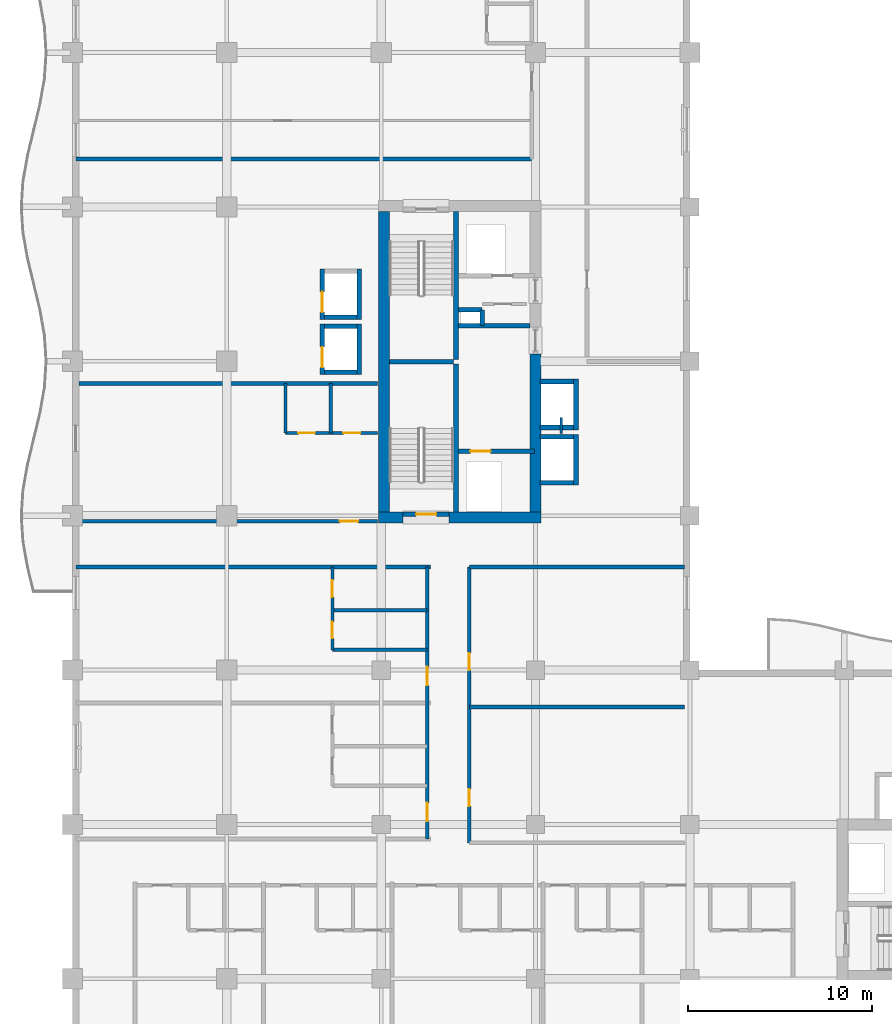
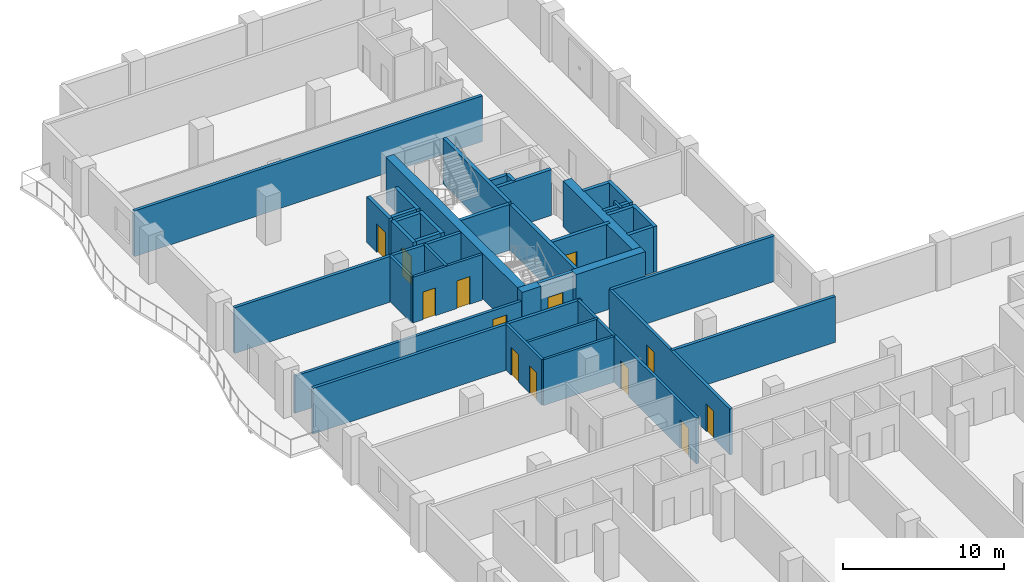
# One storey, part 12 of 21: 40 walls, 13 doors, 13 openings.
"""IFC4 building model written with IfcOpenShell, lengths in metres."""

from ifc_helpers import new_model, si_unit, direction, frame, frame_2d, origin, place, context, subcontext, project, spatial, rectangle, extrude, material, layer, layer_set, type_object, element, fill, save


model = new_model("IFC4")

# Units and contexts
model_context = context("Model", 3, precision=1e-05, world=origin(), true_north=direction((0.0, 1.0)))
body_context = subcontext(model_context, "Body", "Model", "MODEL_VIEW")
ifc_project = project(units=[si_unit("LENGTHUNIT", "METRE"), si_unit("AREAUNIT", "SQUARE_METRE"), si_unit("VOLUMEUNIT", "CUBIC_METRE"), si_unit("PLANEANGLEUNIT", "RADIAN"), si_unit("MASSUNIT", "GRAM", prefix="KILO")], contexts=[model_context])

# Site, building, storey
site_placement = place(None, origin())
site = spatial("IfcSite", under=ifc_project, at=site_placement, CompositionType="ELEMENT")
building_placement = place(site_placement, origin())
building = spatial("IfcBuilding", under=site, at=building_placement, Name="Koriwani Terraces Tower", CompositionType="ELEMENT")
storey_placement = place(building_placement, frame((0.0, 0.0, 197.60009765625)))
storey = spatial("IfcBuildingStorey", under=building, at=storey_placement, Name="L48", CompositionType="ELEMENT", Elevation=197.60009765625)

# Walls
ifc_material_1 = material(Name="Concrete C60/75", Category="concrete")
ifc_layer_1 = layer(ifc_material_1, 0.60009765625, Name="Concrete C60/75")
ifc_layer_set_1 = layer_set([ifc_layer_1], Name="Concrete C60/75")
wall_type_1 = type_object("IfcWallType", Name="WALL_CORE_RC_600", PredefinedType="SHEAR", material=ifc_layer_set_1)
wall_1_placement = place(storey_placement, frame((16.64990234375, 41.89990234375, 0.0), z_axis=(0.0, 0.0, 1.0), x_axis=(1.0, 0.0, 0.0)))
element("IfcWall", 1, at=wall_1_placement, inside=storey, type_object=wall_type_1, Name="L48 West Split Core Shear Wall S1", PredefinedType="SHEAR", context=body_context, shape_type="SweptSolid", body=[
    extrude(rectangle(XDim=1.35009765625, YDim=0.60009765625, at=frame_2d((0.675048828125, 0.0))), origin(), (0.0, 0.0, 1.0), 3.469970703125),
])
wall_2_placement = place(storey_placement, frame((20.5, 41.89990234375, 0.0), z_axis=(0.0, 0.0, 1.0), x_axis=(1.0, 0.0, 0.0)))
element("IfcWall", 2, at=wall_2_placement, inside=storey, type_object=wall_type_1, Name="L48 West Split Core Shear Wall S2", PredefinedType="SHEAR", context=body_context, shape_type="SweptSolid", body=[
    extrude(rectangle(XDim=5.0, YDim=0.60009765625, at=frame_2d((2.5, 0.0))), origin(), (0.0, 0.0, 1.0), 3.469970703125),
])
wall_3_placement = place(storey_placement, frame((16.949951171875, 42.199951171875, 0.0), z_axis=(0.0, 0.0, 1.0), x_axis=(0.0, 1.0, 0.0)))
element("IfcWall", 3, at=wall_3_placement, inside=storey, type_object=wall_type_1, Name="L48 West Split Core Shear Wall W1", PredefinedType="SHEAR", context=body_context, shape_type="SweptSolid", body=[
    extrude(rectangle(XDim=16.35009765625, YDim=0.60009765625, at=frame_2d((8.175048828125, 0.0))), origin(), (0.0, 0.0, 1.0), 3.469970703125),
])
wall_4_placement = place(storey_placement, frame((25.199951171875, 42.199951171875, 0.0), z_axis=(0.0, 0.0, 1.0), x_axis=(0.0, 1.0, 0.0)))
element("IfcWall", 4, at=wall_4_placement, inside=storey, type_object=wall_type_1, Name="L48 West Split Core Shear Wall E1", PredefinedType="SHEAR", context=body_context, shape_type="SweptSolid", body=[
    extrude(rectangle(XDim=8.60009765625, YDim=0.60009765625, at=frame_2d((4.300048828125, 0.0))), origin(), (0.0, 0.0, 1.0), 3.469970703125),
])

# Wall, opening, door
ifc_material_2 = material(Name="Autoclaved Cellular Concrete Blockwork", Category="masonry")
ifc_layer_2 = layer(ifc_material_2, 0.199951171875, Name="Autoclaved Cellular Concrete Blockwork")
ifc_layer_set_2 = layer_set([ifc_layer_2], Name="Autoclaved Cellular Concrete Blockwork")
wall_type_2 = type_object("IfcWallType", Name="WALL_CORRIDOR_200", PredefinedType="PARTITIONING", material=ifc_layer_set_2)
wall_5_placement = place(storey_placement, frame((0.35009765625, 41.699951171875, 0.0), z_axis=(0.0, 0.0, 1.0), x_axis=(1.0, 0.0, 0.0)))
wall_5 = element("IfcWall", 5, at=wall_5_placement, inside=storey, type_object=wall_type_2, Name="L48 Interior Wall WREC-WS-L48", PredefinedType="PARTITIONING", context=body_context, shape_type="SweptSolid", body=[
    extrude(rectangle(XDim=16.25, YDim=0.199951171875, at=frame_2d((8.125, 0.0))), origin(), (0.0, 0.0, 1.0), 2.81982421875),
])
opening_1_placement = place(wall_5_placement, frame((14.199951171875, 0.0, 0.0)))
opening_1 = element("IfcOpeningElement", 6, at=opening_1_placement, cuts=wall_5, Name="Opening D-05", PredefinedType="OPENING", context=body_context, shape_type="SweptSolid", body=[
    extrude(rectangle(XDim=1.0, YDim=2.14990234375, at=frame_2d((0.5, 1.074951171875))), frame((0.0, 0.10986328125, 0.0), z_axis=(0.0, -1.0, 0.0), x_axis=(1.0, 0.0, 0.0)), (0.0, 0.0, 1.0), 0.219970703125),
])
ifc_material_3 = material(Name="Architectural Oak Fire Door", Category="wood")
door_type_1 = type_object("IfcDoorType", Name="DOOR_SUITE_ENTRY_1000X2150", OperationType="NOTDEFINED", PredefinedType="DOOR", material=ifc_material_3)
door_1_placement = place(opening_1_placement, origin())
door_1 = element("IfcDoor", 7, at=door_1_placement, inside=storey, type_object=door_type_1, Name="L48 Reclaimed West Suite Door", OperationType="SINGLE_SWING_RIGHT", OverallHeight=2.14990234375, OverallWidth=1.0, PredefinedType="DOOR", context=body_context, shape_type="SweptSolid", body=[
    extrude(rectangle(XDim=1.0, YDim=2.14990234375, at=frame_2d((0.5, 1.074951171875))), frame((0.0, 0.02490234375, 0.0), z_axis=(0.0, -1.0, 0.0), x_axis=(1.0, 0.0, 0.0)), (0.0, 0.0, 1.0), 0.050048828125),
])
fill(opening_1, door_1)

# Wall, openings, doors
wall_6_placement = place(storey_placement, frame((21.60009765625, 24.199951171875, 0.0), z_axis=(0.0, 0.0, 1.0), x_axis=(0.0, 1.0, 0.0)))
wall_6 = element("IfcWall", 8, at=wall_6_placement, inside=storey, type_object=wall_type_2, Name="L48 Interior Wall WIC2-W-L48", PredefinedType="PARTITIONING", context=body_context, shape_type="SweptSolid", body=[
    extrude(rectangle(XDim=15.0, YDim=0.199951171875, at=frame_2d((7.5, 0.0))), origin(), (0.0, 0.0, 1.0), 3.469970703125),
])
opening_2_placement = place(wall_6_placement, frame((2.0, 0.0, 0.0)))
opening_2 = element("IfcOpeningElement", 9, at=opening_2_placement, cuts=wall_6, Name="Opening D-06", PredefinedType="OPENING", context=body_context, shape_type="SweptSolid", body=[
    extrude(rectangle(XDim=0.919921875, YDim=2.10009765625, at=frame_2d((0.4599609375, 1.050048828125))), frame((0.0, 0.10986328125, 0.0), z_axis=(0.0, -1.0, 0.0), x_axis=(1.0, 0.0, 0.0)), (0.0, 0.0, 1.0), 0.219970703125),
])
opening_3_placement = place(wall_6_placement, frame((9.39990234375, 0.0, 0.0)))
opening_3 = element("IfcOpeningElement", 10, at=opening_3_placement, cuts=wall_6, Name="Opening D-06", PredefinedType="OPENING", context=body_context, shape_type="SweptSolid", body=[
    extrude(rectangle(XDim=0.919921875, YDim=2.10009765625, at=frame_2d((0.4599609375, 1.050048828125))), frame((0.0, 0.10986328125, 0.0), z_axis=(0.0, -1.0, 0.0), x_axis=(1.0, 0.0, 0.0)), (0.0, 0.0, 1.0), 0.219970703125),
])
door_type_2 = type_object("IfcDoorType", Name="DOOR_ROOM_INT_920X2100", OperationType="NOTDEFINED", PredefinedType="DOOR", material=ifc_material_3)
door_2_placement = place(opening_2_placement, origin())
door_2 = element("IfcDoor", 11, at=door_2_placement, inside=storey, type_object=door_type_2, Name="L48 Inner Court Salon Door", OperationType="SINGLE_SWING_RIGHT", OverallHeight=2.10009765625, OverallWidth=0.919921875, PredefinedType="DOOR", context=body_context, shape_type="SweptSolid", body=[
    extrude(rectangle(XDim=0.919921875, YDim=2.10009765625, at=frame_2d((0.4599609375, 1.050048828125))), frame((0.0, 0.02490234375, 0.0), z_axis=(0.0, -1.0, 0.0), x_axis=(1.0, 0.0, 0.0)), (0.0, 0.0, 1.0), 0.050048828125),
])
fill(opening_2, door_2)
door_3_placement = place(opening_3_placement, origin())
door_3 = element("IfcDoor", 12, at=door_3_placement, inside=storey, type_object=door_type_2, Name="L48 Inner Court Media Room Door", OperationType="SINGLE_SWING_LEFT", OverallHeight=2.10009765625, OverallWidth=0.919921875, PredefinedType="DOOR", context=body_context, shape_type="SweptSolid", body=[
    extrude(rectangle(XDim=0.919921875, YDim=2.10009765625, at=frame_2d((0.4599609375, 1.050048828125))), frame((0.0, 0.02490234375, 0.0), z_axis=(0.0, -1.0, 0.0), x_axis=(1.0, 0.0, 0.0)), (0.0, 0.0, 1.0), 0.050048828125),
])
fill(opening_3, door_3)

wall_7_placement = place(storey_placement, frame((19.300048828125, 24.39990234375, 0.0), z_axis=(0.0, 0.0, 1.0), x_axis=(0.0, 1.0, 0.0)))
wall_7 = element("IfcWall", 13, at=wall_7_placement, inside=storey, type_object=wall_type_2, Name="L48 Interior Wall WRCOR-L48-NW-0", PredefinedType="PARTITIONING", context=body_context, shape_type="SweptSolid", body=[
    extrude(rectangle(XDim=14.800048828125, YDim=0.199951171875, at=frame_2d((7.39990234375, 0.0))), origin(), (0.0, 0.0, 1.0), 3.469970703125),
])
opening_4_placement = place(wall_7_placement, frame((0.969970703125, 0.0, 0.0)))
opening_4 = element("IfcOpeningElement", 14, at=opening_4_placement, cuts=wall_7, Name="Opening D-05", PredefinedType="OPENING", context=body_context, shape_type="SweptSolid", body=[
    extrude(rectangle(XDim=1.0, YDim=2.14990234375, at=frame_2d((0.5, 1.074951171875))), frame((0.0, 0.10986328125, 0.0), z_axis=(0.0, -1.0, 0.0), x_axis=(1.0, 0.0, 0.0)), (0.0, 0.0, 1.0), 0.219970703125),
])
opening_5_placement = place(wall_7_placement, frame((8.3701171875, 0.0, 0.0)))
opening_5 = element("IfcOpeningElement", 15, at=opening_5_placement, cuts=wall_7, Name="Opening D-05", PredefinedType="OPENING", context=body_context, shape_type="SweptSolid", body=[
    extrude(rectangle(XDim=1.0, YDim=2.14990234375, at=frame_2d((0.5, 1.074951171875))), frame((0.0, 0.10986328125, 0.0), z_axis=(0.0, -1.0, 0.0), x_axis=(1.0, 0.0, 0.0)), (0.0, 0.0, 1.0), 0.219970703125),
])
door_4_placement = place(opening_4_placement, origin())
door_4 = element("IfcDoor", 16, at=door_4_placement, inside=storey, type_object=door_type_1, Name="Apartment 48NW1 Entrance Door", OperationType="SINGLE_SWING_LEFT", OverallHeight=2.14990234375, OverallWidth=1.0, PredefinedType="DOOR", context=body_context, shape_type="SweptSolid", body=[
    extrude(rectangle(XDim=1.0, YDim=2.14990234375, at=frame_2d((0.5, 1.074951171875))), frame((0.0, 0.02490234375, 0.0), z_axis=(0.0, -1.0, 0.0), x_axis=(1.0, 0.0, 0.0)), (0.0, 0.0, 1.0), 0.050048828125),
])
fill(opening_4, door_4)
door_5_placement = place(opening_5_placement, origin())
door_5 = element("IfcDoor", 17, at=door_5_placement, inside=storey, type_object=door_type_1, Name="Apartment 48NW2 Entrance Door", OperationType="SINGLE_SWING_RIGHT", OverallHeight=2.14990234375, OverallWidth=1.0, PredefinedType="DOOR", context=body_context, shape_type="SweptSolid", body=[
    extrude(rectangle(XDim=1.0, YDim=2.14990234375, at=frame_2d((0.5, 1.074951171875))), frame((0.0, 0.02490234375, 0.0), z_axis=(0.0, -1.0, 0.0), x_axis=(1.0, 0.0, 0.0)), (0.0, 0.0, 1.0), 0.050048828125),
])
fill(opening_5, door_5)

# Walls
ifc_layer_3 = layer(ifc_material_2, 0.219970703125, Name="Autoclaved Cellular Concrete Blockwork")
ifc_layer_set_3 = layer_set([ifc_layer_3], Name="Autoclaved Cellular Concrete Blockwork")
wall_type_3 = type_object("IfcWallType", Name="WALL_DEMISING_220", PredefinedType="PARTITIONING", material=ifc_layer_set_3)
wall_8_placement = place(storey_placement, frame((0.35009765625, 49.199951171875, 0.0), z_axis=(0.0, 0.0, 1.0), x_axis=(1.0, 0.0, 0.0)))
element("IfcWall", 18, at=wall_8_placement, inside=storey, type_object=wall_type_3, Name="L48 Interior Wall WREC-WN-L48", PredefinedType="PARTITIONING", context=body_context, shape_type="SweptSolid", body=[
    extrude(rectangle(XDim=16.25, YDim=0.219970703125, at=frame_2d((8.125, 0.0))), origin(), (0.0, 0.0, 1.0), 3.469970703125),
])
for number, where, z_axis, x_axis, name in (
    (19, (21.60009765625, 31.60009765625, 0.0), (0.0, 0.0, 1.0), (1.0, 0.0, 0.0), "L48 Interior Wall WIC2-M-L48"),
    (20, (21.60009765625, 39.199951171875, 0.0), (0.0, 0.0, 1.0), (1.0, 0.0, 0.0), "L48 Interior Wall WIC2-N-L48"),
):
    element("IfcWall", number, at=place(storey_placement, frame(where, z_axis=z_axis, x_axis=x_axis)), inside=storey, type_object=wall_type_3, Name=name, PredefinedType="PARTITIONING", context=body_context, shape_type="SweptSolid", body=[
        extrude(rectangle(XDim=11.699951171875, YDim=0.219970703125, at=frame_2d((5.85009765625, 0.0))), origin(), (0.0, 0.0, 1.0), 3.469970703125),
    ])
wall_9_placement = place(storey_placement, frame((0.199951171875, 39.199951171875, 0.0), z_axis=(0.0, 0.0, 1.0), x_axis=(1.0, 0.0, 0.0)))
element("IfcWall", 21, at=wall_9_placement, inside=storey, type_object=wall_type_3, Name="L48 Interior Wall WRDEME-L48-NW", PredefinedType="PARTITIONING", context=body_context, shape_type="SweptSolid", body=[
    extrude(rectangle(XDim=19.280029296875, YDim=0.219970703125, at=frame_2d((9.64013671875, 0.0))), origin(), (0.0, 0.0, 1.0), 3.469970703125),
])
wall_10_placement = place(storey_placement, frame((0.199951171875, 61.39990234375, 0.0), z_axis=(0.0, 0.0, 1.0), x_axis=(1.0, 0.0, 0.0)))
element("IfcWall", 22, at=wall_10_placement, inside=storey, type_object=wall_type_3, Name="L48 Interior Wall WRDEM-L48-NE-0", PredefinedType="PARTITIONING", context=body_context, shape_type="SweptSolid", body=[
    extrude(rectangle(XDim=24.97998046875, YDim=0.219970703125, at=frame_2d((12.489990234375, 0.0))), origin(), (0.0, 0.0, 1.0), 3.469970703125),
])

# Wall, openings, doors
ifc_material_4 = material(Name="Fire-Rated Acoustic Gypsum Partition", Category="masonry")
ifc_layer_4 = layer(ifc_material_4, 0.179931640625, Name="Fire-Rated Acoustic Gypsum Partition")
ifc_layer_set_4 = layer_set([ifc_layer_4], Name="Fire-Rated Acoustic Gypsum Partition")
wall_type_4 = type_object("IfcWallType", Name="WALL_PLUMBING_180", PredefinedType="PLUMBINGWALL", material=ifc_layer_set_4)
wall_11_placement = place(storey_placement, frame((11.60009765625, 46.5, 0.0), z_axis=(0.0, 0.0, 1.0), x_axis=(1.0, 0.0, 0.0)))
wall_11 = element("IfcWall", 23, at=wall_11_placement, inside=storey, type_object=wall_type_4, Name="L48 Interior Wall WREC-WBB-L48", PredefinedType="PLUMBINGWALL", context=body_context, shape_type="SweptSolid", body=[
    extrude(rectangle(XDim=5.0, YDim=0.179931640625, at=frame_2d((2.5, 0.0))), origin(), (0.0, 0.0, 1.0), 3.469970703125),
])
opening_6_placement = place(wall_11_placement, frame((0.699951171875, 0.0, 0.0)))
opening_6 = element("IfcOpeningElement", 24, at=opening_6_placement, cuts=wall_11, Name="Opening D-07", PredefinedType="OPENING", context=body_context, shape_type="SweptSolid", body=[
    extrude(rectangle(XDim=0.89990234375, YDim=2.10009765625, at=frame_2d((0.449951171875, 1.050048828125))), frame((0.0, 0.10009765625, 0.0), z_axis=(0.0, -1.0, 0.0), x_axis=(1.0, 0.0, 0.0)), (0.0, 0.0, 1.0), 0.199951171875),
])
opening_7_placement = place(wall_11_placement, frame((3.14990234375, 0.0, 0.0)))
opening_7 = element("IfcOpeningElement", 25, at=opening_7_placement, cuts=wall_11, Name="Opening D-06", PredefinedType="OPENING", context=body_context, shape_type="SweptSolid", body=[
    extrude(rectangle(XDim=0.919921875, YDim=2.10009765625, at=frame_2d((0.4599609375, 1.050048828125))), frame((0.0, 0.10009765625, 0.0), z_axis=(0.0, -1.0, 0.0), x_axis=(1.0, 0.0, 0.0)), (0.0, 0.0, 1.0), 0.199951171875),
])
door_type_3 = type_object("IfcDoorType", Name="DOOR_BATH_INT_900X2100", OperationType="NOTDEFINED", PredefinedType="DOOR", material=ifc_material_3)
door_6_placement = place(opening_6_placement, origin())
door_6 = element("IfcDoor", 26, at=door_6_placement, inside=storey, type_object=door_type_3, Name="Apartment 48RW Bathroom Door", OperationType="SINGLE_SWING_LEFT", OverallHeight=2.10009765625, OverallWidth=0.89990234375, PredefinedType="DOOR", context=body_context, shape_type="SweptSolid", body=[
    extrude(rectangle(XDim=0.89990234375, YDim=2.10009765625, at=frame_2d((0.449951171875, 1.050048828125))), frame((0.0, 0.02490234375, 0.0), z_axis=(0.0, -1.0, 0.0), x_axis=(1.0, 0.0, 0.0)), (0.0, 0.0, 1.0), 0.050048828125),
])
fill(opening_6, door_6)
door_7_placement = place(opening_7_placement, origin())
door_7 = element("IfcDoor", 27, at=door_7_placement, inside=storey, type_object=door_type_2, Name="Apartment 48RW Kitchen Door", OperationType="SINGLE_SWING_RIGHT", OverallHeight=2.10009765625, OverallWidth=0.919921875, PredefinedType="DOOR", context=body_context, shape_type="SweptSolid", body=[
    extrude(rectangle(XDim=0.919921875, YDim=2.10009765625, at=frame_2d((0.4599609375, 1.050048828125))), frame((0.0, 0.02490234375, 0.0), z_axis=(0.0, -1.0, 0.0), x_axis=(1.0, 0.0, 0.0)), (0.0, 0.0, 1.0), 0.050048828125),
])
fill(opening_7, door_7)

# Walls
for number, where, z_axis, x_axis, name in (
    (28, (11.60009765625, 46.5, 0.0), (0.0, 0.0, 1.0), (0.0, 1.0, 0.0), "L48 Interior Wall WREC-WB2-L48"),
    (29, (14.050048828125, 46.5, 0.0), (0.0, 0.0, 1.0), (0.0, 1.0, 0.0), "L48 Interior Wall WREC-WB3-L48"),
):
    element("IfcWall", number, at=place(storey_placement, frame(where, z_axis=z_axis, x_axis=x_axis)), inside=storey, type_object=wall_type_4, Name=name, PredefinedType="PLUMBINGWALL", context=body_context, shape_type="SweptSolid", body=[
        extrude(rectangle(XDim=2.699951171875, YDim=0.179931640625, at=frame_2d((1.35009765625, 0.0))), origin(), (0.0, 0.0, 1.0), 3.469970703125),
    ])

# Wall, openings, doors
wall_12_placement = place(storey_placement, frame((14.14990234375, 34.699951171875, 0.0), z_axis=(0.0, 0.0, 1.0), x_axis=(0.0, 1.0, 0.0)))
wall_12 = element("IfcWall", 30, at=wall_12_placement, inside=storey, type_object=wall_type_4, Name="L48 Interior Wall WRSVC-L48-NW-1", PredefinedType="PLUMBINGWALL", context=body_context, shape_type="SweptSolid", body=[
    extrude(rectangle(XDim=4.5, YDim=0.179931640625, at=frame_2d((2.25, 0.0))), origin(), (0.0, 0.0, 1.0), 3.469970703125),
])
opening_8_placement = place(wall_12_placement, frame((0.6298828125, 0.0, 0.0)))
opening_8 = element("IfcOpeningElement", 31, at=opening_8_placement, cuts=wall_12, Name="Opening D-07", PredefinedType="OPENING", context=body_context, shape_type="SweptSolid", body=[
    extrude(rectangle(XDim=0.89990234375, YDim=2.10009765625, at=frame_2d((0.449951171875, 1.050048828125))), frame((0.0, 0.10009765625, 0.0), z_axis=(0.0, -1.0, 0.0), x_axis=(1.0, 0.0, 0.0)), (0.0, 0.0, 1.0), 0.199951171875),
])
opening_9_placement = place(wall_12_placement, frame((2.8701171875, 0.0, 0.0)))
opening_9 = element("IfcOpeningElement", 32, at=opening_9_placement, cuts=wall_12, Name="Opening D-06", PredefinedType="OPENING", context=body_context, shape_type="SweptSolid", body=[
    extrude(rectangle(XDim=0.919921875, YDim=2.10009765625, at=frame_2d((0.4599609375, 1.050048828125))), frame((0.0, 0.10009765625, 0.0), z_axis=(0.0, -1.0, 0.0), x_axis=(1.0, 0.0, 0.0)), (0.0, 0.0, 1.0), 0.199951171875),
])
door_8_placement = place(opening_8_placement, origin())
door_8 = element("IfcDoor", 33, at=door_8_placement, inside=storey, type_object=door_type_3, Name="Apartment 48NW2 Bathroom Door", OperationType="SINGLE_SWING_LEFT", OverallHeight=2.10009765625, OverallWidth=0.89990234375, PredefinedType="DOOR", context=body_context, shape_type="SweptSolid", body=[
    extrude(rectangle(XDim=0.89990234375, YDim=2.10009765625, at=frame_2d((0.449951171875, 1.050048828125))), frame((0.0, 0.02490234375, 0.0), z_axis=(0.0, -1.0, 0.0), x_axis=(1.0, 0.0, 0.0)), (0.0, 0.0, 1.0), 0.050048828125),
])
fill(opening_8, door_8)
door_9_placement = place(opening_9_placement, origin())
door_9 = element("IfcDoor", 34, at=door_9_placement, inside=storey, type_object=door_type_2, Name="Apartment 48NW2 Kitchen Door", OperationType="SINGLE_SWING_RIGHT", OverallHeight=2.10009765625, OverallWidth=0.919921875, PredefinedType="DOOR", context=body_context, shape_type="SweptSolid", body=[
    extrude(rectangle(XDim=0.919921875, YDim=2.10009765625, at=frame_2d((0.4599609375, 1.050048828125))), frame((0.0, 0.02490234375, 0.0), z_axis=(0.0, -1.0, 0.0), x_axis=(1.0, 0.0, 0.0)), (0.0, 0.0, 1.0), 0.050048828125),
])
fill(opening_9, door_9)

# Walls
for number, where, z_axis, x_axis, name in (
    (35, (14.14990234375, 34.699951171875, 0.0), (0.0, 0.0, 1.0), (1.0, 0.0, 0.0), "L48 Interior Wall WRSVCS-L48-NW-1"),
    (36, (14.14990234375, 36.860107421875, 0.0), (0.0, 0.0, 1.0), (1.0, 0.0, 0.0), "L48 Interior Wall WRSVCM-L48-NW-1"),
):
    element("IfcWall", number, at=place(storey_placement, frame(where, z_axis=z_axis, x_axis=x_axis)), inside=storey, type_object=wall_type_4, Name=name, PredefinedType="PLUMBINGWALL", context=body_context, shape_type="SweptSolid", body=[
        extrude(rectangle(XDim=5.150146484375, YDim=0.179931640625, at=frame_2d((2.5751953125, 0.0))), origin(), (0.0, 0.0, 1.0), 3.469970703125),
    ])
ifc_material_5 = material(Name="Concrete C40/50", Category="concrete")
ifc_layer_5 = layer(ifc_material_5, 0.25, Name="Concrete C40/50")
ifc_layer_set_5 = layer_set([ifc_layer_5], Name="Concrete C40/50")
wall_type_5 = type_object("IfcWallType", Name="WALL_SHAFT_RATED_250", PredefinedType="SOLIDWALL", material=ifc_layer_set_5)
for number, where, z_axis, x_axis, name in (
    (37, (20.875, 42.199951171875, 0.0), (0.0, 0.0, 1.0), (0.0, 1.0, 0.0), "L48 West Split Core Web Wall MID1"),
    (38, (20.875, 50.5, 0.0), (0.0, 0.0, 1.0), (0.0, 1.0, 0.0), "L48 West Split Core Web Wall MID2"),
):
    element("IfcWall", number, at=place(storey_placement, frame(where, z_axis=z_axis, x_axis=x_axis)), inside=storey, type_object=wall_type_5, Name=name, PredefinedType="SOLIDWALL", context=body_context, shape_type="SweptSolid", body=[
        extrude(rectangle(XDim=8.050048828125, YDim=0.25, at=frame_2d((4.02490234375, 0.0))), origin(), (0.0, 0.0, 1.0), 3.469970703125),
    ])
wall_13_placement = place(storey_placement, frame((17.25, 50.375, 0.0), z_axis=(0.0, 0.0, 1.0), x_axis=(1.0, 0.0, 0.0)))
element("IfcWall", 39, at=wall_13_placement, inside=storey, type_object=wall_type_5, Name="L48 West Split Core Stair Dividing Wall", PredefinedType="SOLIDWALL", context=body_context, shape_type="SweptSolid", body=[
    extrude(rectangle(XDim=3.5, YDim=0.25, at=frame_2d((1.75, 0.0))), origin(), (0.0, 0.0, 1.0), 3.469970703125),
])

# Wall, opening, door
wall_14_placement = place(storey_placement, frame((18.0, 42.074951171875, 0.0), z_axis=(0.0, 0.0, 1.0), x_axis=(1.0, 0.0, 0.0)))
wall_14 = element("IfcWall", 40, at=wall_14_placement, inside=storey, type_object=wall_type_5, Name="L48 Interior Wall WIN-CW-L48-STS", PredefinedType="SOLIDWALL", context=body_context, shape_type="SweptSolid", body=[
    extrude(rectangle(XDim=2.5, YDim=0.25, at=frame_2d((1.25, 0.0))), origin(), (0.0, 0.0, 1.0), 3.469970703125),
])
opening_10_placement = place(wall_14_placement, frame((0.699951171875, 0.0, 0.0)))
opening_10 = element("IfcOpeningElement", 41, at=opening_10_placement, cuts=wall_14, Name="Opening D-03", PredefinedType="OPENING", context=body_context, shape_type="SweptSolid", body=[
    extrude(rectangle(XDim=1.10009765625, YDim=2.14990234375, at=frame_2d((0.550048828125, 1.074951171875))), frame((0.0, 0.135009765625, 0.0), z_axis=(0.0, -1.0, 0.0), x_axis=(1.0, 0.0, 0.0)), (0.0, 0.0, 1.0), 0.27001953125),
])
ifc_material_6 = material(Name="Steel ASTM A572 Grade 50", Category="steel")
door_type_4 = type_object("IfcDoorType", Name="DOOR_STAIR_FIRE_1100X2150", OperationType="NOTDEFINED", PredefinedType="DOOR", material=ifc_material_6)
door_10_placement = place(opening_10_placement, origin())
door_10 = element("IfcDoor", 42, at=door_10_placement, inside=storey, type_object=door_type_4, Name="L48 Exit Stair ST-W1 Door", OperationType="SINGLE_SWING_RIGHT", OverallHeight=2.14990234375, OverallWidth=1.10009765625, PredefinedType="DOOR", context=body_context, shape_type="SweptSolid", body=[
    extrude(rectangle(XDim=1.10009765625, YDim=2.14990234375, at=frame_2d((0.550048828125, 1.074951171875))), frame((0.0, 0.02490234375, 0.0), z_axis=(0.0, -1.0, 0.0), x_axis=(1.0, 0.0, 0.0)), (0.0, 0.0, 1.0), 0.050048828125),
])
fill(opening_10, door_10)

wall_15_placement = place(storey_placement, frame((21.0, 45.5, 0.0), z_axis=(0.0, 0.0, 1.0), x_axis=(1.0, 0.0, 0.0)))
wall_15 = element("IfcWall", 43, at=wall_15_placement, inside=storey, type_object=wall_type_5, Name="L48 Interior Wall WIN-CW-L48-FE", PredefinedType="SOLIDWALL", context=body_context, shape_type="SweptSolid", body=[
    extrude(rectangle(XDim=4.14990234375, YDim=0.25, at=frame_2d((2.074951171875, 0.0))), origin(), (0.0, 0.0, 1.0), 3.469970703125),
])
opening_11_placement = place(wall_15_placement, frame((0.64990234375, 0.0, 0.0)))
opening_11 = element("IfcOpeningElement", 44, at=opening_11_placement, cuts=wall_15, Name="Opening LD-01", PredefinedType="OPENING", context=body_context, shape_type="SweptSolid", body=[
    extrude(rectangle(XDim=1.10009765625, YDim=2.14990234375, at=frame_2d((0.550048828125, 1.074951171875))), frame((0.0, 0.135009765625, 0.0), z_axis=(0.0, -1.0, 0.0), x_axis=(1.0, 0.0, 0.0)), (0.0, 0.0, 1.0), 0.27001953125),
])
door_type_5 = type_object("IfcDoorType", Name="DOOR_LIFT_LANDING_1100X2200", OperationType="NOTDEFINED", PredefinedType="DOOR", material=ifc_material_6)
door_11_placement = place(opening_11_placement, origin())
door_11 = element("IfcDoor", 45, at=door_11_placement, inside=storey, type_object=door_type_5, Name="L48 Firefighting Lift FE-01 Landing Door", OperationType="SLIDING_TO_LEFT", OverallHeight=2.14990234375, OverallWidth=1.10009765625, PredefinedType="DOOR", context=body_context, shape_type="SweptSolid", body=[
    extrude(rectangle(XDim=1.10009765625, YDim=2.14990234375, at=frame_2d((0.550048828125, 1.074951171875))), frame((0.0, 0.02490234375, 0.0), z_axis=(0.0, -1.0, 0.0), x_axis=(1.0, 0.0, 0.0)), (0.0, 0.0, 1.0), 0.050048828125),
])
fill(opening_11, door_11)

# Walls
wall_16_placement = place(storey_placement, frame((21.0, 52.340087890625, 0.0), z_axis=(0.0, 0.0, 1.0), x_axis=(1.0, 0.0, 0.0)))
element("IfcWall", 46, at=wall_16_placement, inside=storey, type_object=wall_type_5, Name="L48 Interior Wall WIN-CW-L48-FFN", PredefinedType="SOLIDWALL", context=body_context, shape_type="SweptSolid", body=[
    extrude(rectangle(XDim=3.89990234375, YDim=0.25, at=frame_2d((1.949951171875, 0.0))), origin(), (0.0, 0.0, 1.0), 3.469970703125),
])
wall_17_placement = place(storey_placement, frame((21.0, 53.199951171875, 0.0), z_axis=(0.0, 0.0, 1.0), x_axis=(1.0, 0.0, 0.0)))
element("IfcWall", 47, at=wall_17_placement, inside=storey, type_object=wall_type_5, Name="L48 Interior Wall WIN-CW-L48-RS1", PredefinedType="SOLIDWALL", context=body_context, shape_type="SweptSolid", body=[
    extrude(rectangle(XDim=1.300048828125, YDim=0.25, at=frame_2d((0.64990234375, 0.0))), origin(), (0.0, 0.0, 1.0), 3.469970703125),
])
wall_18_placement = place(storey_placement, frame((22.300048828125, 52.360107421875, 0.0), z_axis=(0.0, 0.0, 1.0), x_axis=(0.0, 1.0, 0.0)))
element("IfcWall", 48, at=wall_18_placement, inside=storey, type_object=wall_type_5, Name="L48 Interior Wall WIN-CW-L48-RS2", PredefinedType="SOLIDWALL", context=body_context, shape_type="SweptSolid", body=[
    extrude(rectangle(XDim=0.83984375, YDim=0.25, at=frame_2d((0.419921875, 0.0))), origin(), (0.0, 0.0, 1.0), 3.469970703125),
])

# Wall, opening, door
wall_19_placement = place(storey_placement, frame((13.60009765625, 49.675048828125, 0.0), z_axis=(0.0, 0.0, 1.0), x_axis=(0.0, 1.0, 0.0)))
wall_19 = element("IfcWall", 49, at=wall_19_placement, inside=storey, type_object=wall_type_5, Name="L48 Interior Wall WIN-LF-PE-M1-L48-F", PredefinedType="SOLIDWALL", context=body_context, shape_type="SweptSolid", body=[
    extrude(rectangle(XDim=2.75, YDim=0.25, at=frame_2d((1.375, 0.0))), origin(), (0.0, 0.0, 1.0), 3.469970703125),
])
opening_12_placement = place(wall_19_placement, frame((0.39990234375, 0.0, 0.0)))
opening_12 = element("IfcOpeningElement", 50, at=opening_12_placement, cuts=wall_19, Name="Opening LD-01", PredefinedType="OPENING", context=body_context, shape_type="SweptSolid", body=[
    extrude(rectangle(XDim=1.10009765625, YDim=2.14990234375, at=frame_2d((0.550048828125, 1.074951171875))), frame((0.0, 0.135009765625, 0.0), z_axis=(0.0, -1.0, 0.0), x_axis=(1.0, 0.0, 0.0)), (0.0, 0.0, 1.0), 0.27001953125),
])
door_12_placement = place(opening_12_placement, origin())
door_12 = element("IfcDoor", 51, at=door_12_placement, inside=storey, type_object=door_type_5, Name="L48 Passenger Lift PE-M1 Landing Door", OperationType="SLIDING_TO_LEFT", OverallHeight=2.14990234375, OverallWidth=1.10009765625, PredefinedType="DOOR", context=body_context, shape_type="SweptSolid", body=[
    extrude(rectangle(XDim=1.10009765625, YDim=2.14990234375, at=frame_2d((0.550048828125, 1.074951171875))), frame((0.0, 0.02490234375, 0.0), z_axis=(0.0, -1.0, 0.0), x_axis=(1.0, 0.0, 0.0)), (0.0, 0.0, 1.0), 0.050048828125),
])
fill(opening_12, door_12)

# Walls
wall_20_placement = place(storey_placement, frame((15.60009765625, 49.675048828125, 0.0), z_axis=(0.0, 0.0, 1.0), x_axis=(0.0, 1.0, 0.0)))
element("IfcWall", 52, at=wall_20_placement, inside=storey, type_object=wall_type_5, Name="L48 Interior Wall WIN-LF-PE-M1-L48-B", PredefinedType="SOLIDWALL", context=body_context, shape_type="SweptSolid", body=[
    extrude(rectangle(XDim=2.75, YDim=0.25, at=frame_2d((1.375, 0.0))), origin(), (0.0, 0.0, 1.0), 3.469970703125),
])
for number, where, z_axis, x_axis, name in (
    (53, (13.72509765625, 49.800048828125, 0.0), (0.0, 0.0, 1.0), (1.0, 0.0, 0.0), "L48 Interior Wall WIN-LF-PE-M1-L48-S"),
    (54, (13.72509765625, 52.300048828125, 0.0), (0.0, 0.0, 1.0), (1.0, 0.0, 0.0), "L48 Interior Wall WIN-LF-PE-M1-L48-N"),
):
    element("IfcWall", number, at=place(storey_placement, frame(where, z_axis=z_axis, x_axis=x_axis)), inside=storey, type_object=wall_type_5, Name=name, PredefinedType="SOLIDWALL", context=body_context, shape_type="SweptSolid", body=[
        extrude(rectangle(XDim=1.75, YDim=0.25, at=frame_2d((0.875, 0.0))), origin(), (0.0, 0.0, 1.0), 3.469970703125),
    ])

# Wall, opening, door
wall_21_placement = place(storey_placement, frame((13.60009765625, 52.675048828125, 0.0), z_axis=(0.0, 0.0, 1.0), x_axis=(0.0, 1.0, 0.0)))
wall_21 = element("IfcWall", 55, at=wall_21_placement, inside=storey, type_object=wall_type_5, Name="L48 Interior Wall WIN-LF-PE-M2-L48-F", PredefinedType="SOLIDWALL", context=body_context, shape_type="SweptSolid", body=[
    extrude(rectangle(XDim=2.75, YDim=0.25, at=frame_2d((1.375, 0.0))), origin(), (0.0, 0.0, 1.0), 3.469970703125),
])
opening_13_placement = place(wall_21_placement, frame((0.39990234375, 0.0, 0.0)))
opening_13 = element("IfcOpeningElement", 56, at=opening_13_placement, cuts=wall_21, Name="Opening LD-01", PredefinedType="OPENING", context=body_context, shape_type="SweptSolid", body=[
    extrude(rectangle(XDim=1.10009765625, YDim=2.14990234375, at=frame_2d((0.550048828125, 1.074951171875))), frame((0.0, 0.135009765625, 0.0), z_axis=(0.0, -1.0, 0.0), x_axis=(1.0, 0.0, 0.0)), (0.0, 0.0, 1.0), 0.27001953125),
])
door_13_placement = place(opening_13_placement, origin())
door_13 = element("IfcDoor", 57, at=door_13_placement, inside=storey, type_object=door_type_5, Name="L48 Passenger Lift PE-M2 Landing Door", OperationType="SLIDING_TO_LEFT", OverallHeight=2.14990234375, OverallWidth=1.10009765625, PredefinedType="DOOR", context=body_context, shape_type="SweptSolid", body=[
    extrude(rectangle(XDim=1.10009765625, YDim=2.14990234375, at=frame_2d((0.550048828125, 1.074951171875))), frame((0.0, 0.02490234375, 0.0), z_axis=(0.0, -1.0, 0.0), x_axis=(1.0, 0.0, 0.0)), (0.0, 0.0, 1.0), 0.050048828125),
])
fill(opening_13, door_13)

# Walls
wall_22_placement = place(storey_placement, frame((15.60009765625, 52.675048828125, 0.0), z_axis=(0.0, 0.0, 1.0), x_axis=(0.0, 1.0, 0.0)))
element("IfcWall", 58, at=wall_22_placement, inside=storey, type_object=wall_type_5, Name="L48 Interior Wall WIN-LF-PE-M2-L48-B", PredefinedType="SOLIDWALL", context=body_context, shape_type="SweptSolid", body=[
    extrude(rectangle(XDim=2.75, YDim=0.25, at=frame_2d((1.375, 0.0))), origin(), (0.0, 0.0, 1.0), 3.469970703125),
])
wall_23_placement = place(storey_placement, frame((13.72509765625, 52.800048828125, 0.0), z_axis=(0.0, 0.0, 1.0), x_axis=(1.0, 0.0, 0.0)))
element("IfcWall", 59, at=wall_23_placement, inside=storey, type_object=wall_type_5, Name="L48 Interior Wall WIN-LF-PE-M2-L48-S", PredefinedType="SOLIDWALL", context=body_context, shape_type="SweptSolid", body=[
    extrude(rectangle(XDim=1.75, YDim=0.25, at=frame_2d((0.875, 0.0))), origin(), (0.0, 0.0, 1.0), 3.469970703125),
])
wall_24_placement = place(storey_placement, frame((27.39990234375, 43.675048828125, 0.0), z_axis=(0.0, 0.0, 1.0), x_axis=(0.0, 1.0, 0.0)))
element("IfcWall", 60, at=wall_24_placement, inside=storey, type_object=wall_type_5, Name="L48 Interior Wall WIN-LF-PE-H1-L48-F", PredefinedType="SOLIDWALL", context=body_context, shape_type="SweptSolid", body=[
    extrude(rectangle(XDim=2.75, YDim=0.25, at=frame_2d((1.375, 0.0))), origin(), (0.0, 0.0, 1.0), 3.469970703125),
])
for number, where, z_axis, x_axis, name in (
    (61, (25.449951171875, 43.800048828125, 0.0), (0.0, 0.0, 1.0), (1.0, 0.0, 0.0), "L48 Interior Wall WIN-LF-PE-H1-L48-S"),
    (62, (25.449951171875, 46.300048828125, 0.0), (0.0, 0.0, 1.0), (1.0, 0.0, 0.0), "L48 Interior Wall WIN-LF-PE-H1-L48-N"),
):
    element("IfcWall", number, at=place(storey_placement, frame(where, z_axis=z_axis, x_axis=x_axis)), inside=storey, type_object=wall_type_5, Name=name, PredefinedType="SOLIDWALL", context=body_context, shape_type="SweptSolid", body=[
        extrude(rectangle(XDim=1.824951171875, YDim=0.25, at=frame_2d((0.91259765625, 0.0))), origin(), (0.0, 0.0, 1.0), 3.469970703125),
    ])
wall_25_placement = place(storey_placement, frame((27.39990234375, 46.675048828125, 0.0), z_axis=(0.0, 0.0, 1.0), x_axis=(0.0, 1.0, 0.0)))
element("IfcWall", 63, at=wall_25_placement, inside=storey, type_object=wall_type_5, Name="L48 Interior Wall WIN-LF-PE-H2-L48-F", PredefinedType="SOLIDWALL", context=body_context, shape_type="SweptSolid", body=[
    extrude(rectangle(XDim=2.75, YDim=0.25, at=frame_2d((1.375, 0.0))), origin(), (0.0, 0.0, 1.0), 3.469970703125),
])
for number, where, z_axis, x_axis, name in (
    (64, (25.449951171875, 46.800048828125, 0.0), (0.0, 0.0, 1.0), (1.0, 0.0, 0.0), "L48 Interior Wall WIN-LF-PE-H2-L48-S"),
    (65, (25.449951171875, 49.300048828125, 0.0), (0.0, 0.0, 1.0), (1.0, 0.0, 0.0), "L48 Interior Wall WIN-LF-PE-H2-L48-N"),
):
    element("IfcWall", number, at=place(storey_placement, frame(where, z_axis=z_axis, x_axis=x_axis)), inside=storey, type_object=wall_type_5, Name=name, PredefinedType="SOLIDWALL", context=body_context, shape_type="SweptSolid", body=[
        extrude(rectangle(XDim=1.824951171875, YDim=0.25, at=frame_2d((0.91259765625, 0.0))), origin(), (0.0, 0.0, 1.0), 3.469970703125),
    ])
ifc_layer_6 = layer(ifc_material_4, 0.159912109375, Name="Fire-Rated Acoustic Gypsum Partition")
ifc_layer_set_6 = layer_set([ifc_layer_6], Name="Fire-Rated Acoustic Gypsum Partition")
wall_type_6 = type_object("IfcWallType", Name="WALL_SUITE_160", PredefinedType="PARTITIONING", material=ifc_layer_set_6)
wall_26_placement = place(storey_placement, frame((26.60009765625, 46.4599609375, 0.0), z_axis=(0.0, 0.0, 1.0), x_axis=(0.0, 1.0, 0.0)))
element("IfcWall", 66, at=wall_26_placement, inside=storey, type_object=wall_type_6, Name="L48 Interior Wall WIN-LF-PEH12-MID-L48", PredefinedType="PARTITIONING", context=body_context, shape_type="SweptSolid", body=[
    extrude(rectangle(XDim=0.880126953125, YDim=0.159912109375, at=frame_2d((0.43994140625, 0.0))), origin(), (0.0, 0.0, 1.0), 3.469970703125),
])

save(model, "model.ifc")
